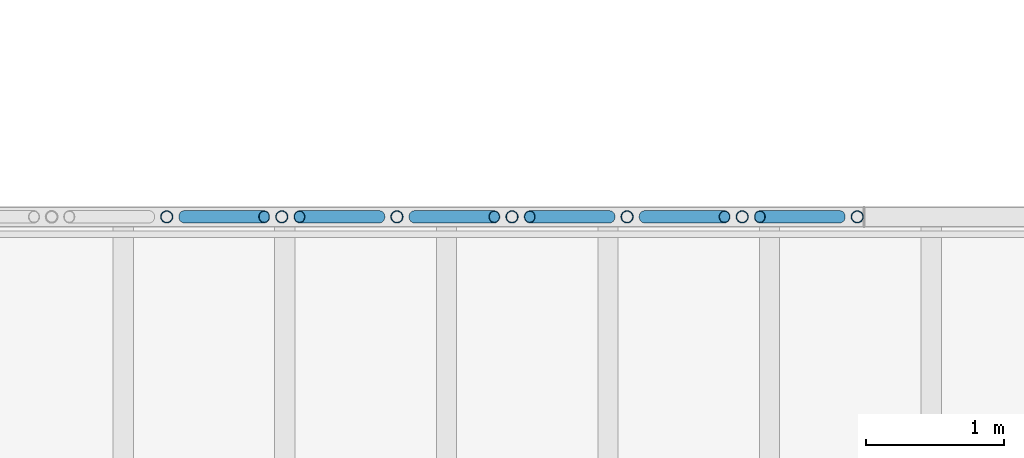
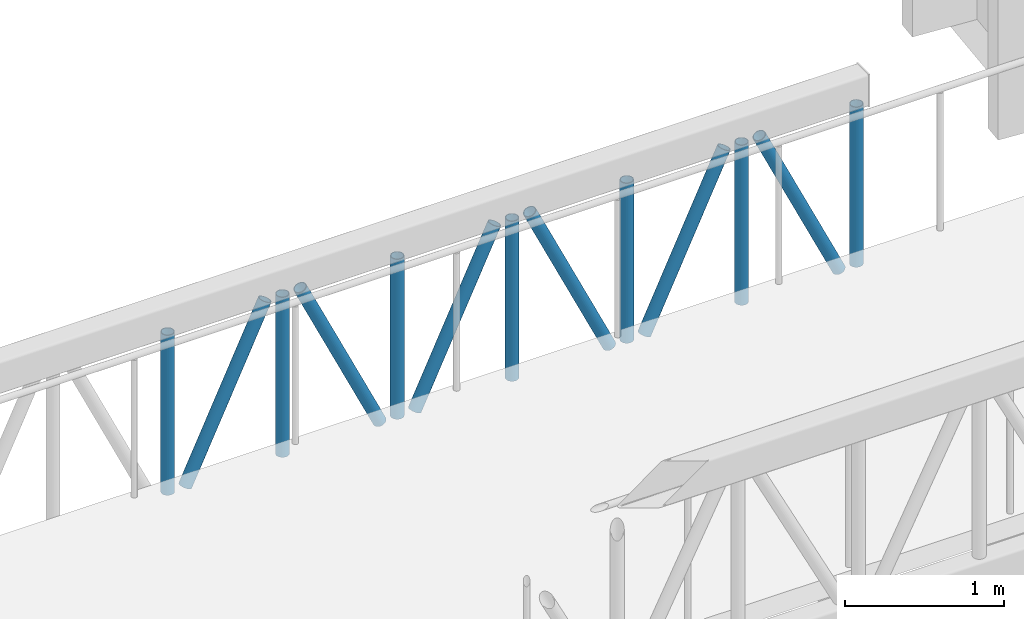
# One storey, part 30 of 93: 13 members.
"""IFC4 building model written with IfcOpenShell, lengths in metres."""

import ifcopenshell
import ifcopenshell.guid

model = None  # the IFC model being written
_history = None  # IfcOwnerHistory: only IFC2X3 demands one
_inside = {}  # id of a spatial element -> (the spatial element, [elements in it])
_under = {}  # id of a project, library or spatial element -> (it, [spatial elements below it])
_declared = {}  # id of a project -> (the project, [libraries it declares])
_typed = {}  # id of a type object -> (the type object, [elements of that type])
_made_of = {}  # id of a material, layer set ... -> (it, [elements and type objects made of it])


def new_model(schema):
    """Start an empty IFC model of exactly this schema.

    Asked for "IFC4X3", IfcOpenShell would pick the latest addendum, in which some entities
    have other attributes; the version numbers below select the first issue.
    IFC2X3 requires an IfcOwnerHistory on every rooted entity: one is made here for all.
    """
    global model, _history
    if schema == "IFC4X3":
        model = ifcopenshell.file(schema_version=(4, 3, 0, 0))
    else:
        model = ifcopenshell.file(schema=schema)
    _inside.clear()
    _under.clear()
    _declared.clear()
    _typed.clear()
    _made_of.clear()
    _history = None
    if model.schema == "IFC2X3":
        org = make("IfcOrganization", Name="unknown")
        user = make(
            "IfcPersonAndOrganization",
            ThePerson=make("IfcPerson", FamilyName="unknown"),
            TheOrganization=org,
        )
        app = make(
            "IfcApplication",
            ApplicationDeveloper=org,
            Version="unknown",
            ApplicationFullName="unknown",
            ApplicationIdentifier="unknown",
        )
        _history = make(
            "IfcOwnerHistory",
            OwningUser=user,
            OwningApplication=app,
            ChangeAction="ADDED",
            CreationDate=0,
        )
    return model


def make(cls, **values):
    """One entity of the class cls with the attributes given. An attribute that is None is left unset."""
    return model.create_entity(
        cls, **{name: value for name, value in values.items() if value is not None}
    )


def rooted(cls, **values):
    """An entity with a GlobalId (a new one), such as an element, a storey or a relation."""
    return make(cls, GlobalId=ifcopenshell.guid.new(), OwnerHistory=_history, **values)


def si_unit(unit_type, name, prefix=None):
    """IfcSIUnit, for example si_unit("LENGTHUNIT", "METRE", prefix="MILLI")."""
    return make("IfcSIUnit", UnitType=unit_type, Prefix=prefix, Name=name)


def assignment(units):
    """IfcUnitAssignment: the units of a project."""
    return None if units is None else make("IfcUnitAssignment", Units=units)


def point(xyz):
    """IfcCartesianPoint."""
    return None if xyz is None else make("IfcCartesianPoint", Coordinates=xyz)


def direction(xyz):
    """IfcDirection."""
    return None if xyz is None else make("IfcDirection", DirectionRatios=xyz)


def frame(location, z_axis=None, x_axis=None):
    """IfcAxis2Placement3D, a coordinate frame: its origin and axes. An axis left out is left unset."""
    return make(
        "IfcAxis2Placement3D",
        Location=point(location),
        Axis=direction(z_axis),
        RefDirection=direction(x_axis),
    )


def frame_2d(location, x_axis=None):
    """IfcAxis2Placement2D, a coordinate frame in the plane: its origin and x axis."""
    return make(
        "IfcAxis2Placement2D", Location=point(location), RefDirection=direction(x_axis)
    )


def origin():
    """The frame at (0, 0, 0) with its axes left unset."""
    return frame((0.0, 0.0, 0.0))


def origin_2d():
    """The frame at (0, 0) in the plane with its x axis left unset."""
    return frame_2d((0.0, 0.0))


def place(relative_to, where):
    """IfcLocalPlacement: puts the frame where relative to a parent placement (None: the world)."""
    return make(
        "IfcLocalPlacement", PlacementRelTo=relative_to, RelativePlacement=where
    )


def context(
    kind, dimensions, precision=None, world=None, true_north=None, identifier=None
):
    """IfcGeometricRepresentationContext, for example the 3D "Model" context."""
    return make(
        "IfcGeometricRepresentationContext",
        ContextIdentifier=identifier,
        ContextType=kind,
        CoordinateSpaceDimension=dimensions,
        Precision=precision,
        WorldCoordinateSystem=world,
        TrueNorth=true_north,
    )


def subcontext(parent, identifier, kind, view, scale=None):
    """IfcGeometricRepresentationSubContext, for example "Body" below "Model"."""
    return make(
        "IfcGeometricRepresentationSubContext",
        ContextIdentifier=identifier,
        ContextType=kind,
        ParentContext=parent,
        TargetScale=scale,
        TargetView=view,
    )


def project(units=None, contexts=None):
    """IfcProject with its units and contexts."""
    return rooted(
        "IfcProject",
        Name="project",
        RepresentationContexts=contexts,
        UnitsInContext=assignment(units),
    )


def spatial(cls, under=None, at=None, **own):
    """A site, building, storey or space (cls), placed at a placement, below another one or the project."""
    s = rooted(cls, ObjectPlacement=at, **own)
    if under is not None:
        _under.setdefault(under.id(), (under, []))[1].append(s)
    return s


def profile(cls, at=None, kind="AREA", **sizes):
    """A parametric profile (cls). Its sizes go by their IFC names, for example OverallWidth=200.0."""
    return make(cls, ProfileType=kind, Position=at, **sizes)


def hollow_circle(**sizes):
    """IfcCircleHollowProfileDef."""
    return profile("IfcCircleHollowProfileDef", **sizes)


def extrude(swept, where, along, depth):
    """IfcExtrudedAreaSolid: the profile swept, set in the frame where, extruded along a direction by depth."""
    return make(
        "IfcExtrudedAreaSolid",
        SweptArea=swept,
        Position=where,
        ExtrudedDirection=direction(along),
        Depth=depth,
    )


def shape(context_of_items, identifier, shape_type, items):
    """IfcShapeRepresentation: the items that make up one representation, for example the "Body"."""
    return make(
        "IfcShapeRepresentation",
        ContextOfItems=context_of_items,
        RepresentationIdentifier=identifier,
        RepresentationType=shape_type,
        Items=items,
    )


def material(Name=None, Category=None):
    """IfcMaterial."""
    return make("IfcMaterial", Name=Name, Category=Category)


def material_profile(
    of_material, cross_section, Name=None, Category=None, Priority=None
):
    """IfcMaterialProfile: a cross section and its material."""
    return make(
        "IfcMaterialProfile",
        Name=Name,
        Material=of_material,
        Profile=cross_section,
        Priority=Priority,
        Category=Category,
    )


def profile_set(profiles, Name=None, composite=None):
    """IfcMaterialProfileSet."""
    return make(
        "IfcMaterialProfileSet",
        Name=Name,
        MaterialProfiles=profiles,
        CompositeProfile=composite,
    )


def made_of(thing, what):
    """Note that an element or type object is made of a material, layer set ...; save() writes the relation."""
    if what is not None:
        _made_of.setdefault(what.id(), (what, []))[1].append(thing)
    return thing


def type_object(cls, material=None, **own):
    """A type object (cls), such as IfcWallType, which elements share."""
    return made_of(rooted(cls, **own), material)


def element(
    cls,
    number,
    at=None,
    inside=None,
    cuts=None,
    type_object=None,
    material=None,
    context=None,
    identifier="Body",
    shape_type=None,
    held_by="IfcProductDefinitionShape",
    body=None,
    shapes=None,
    **own,
):
    """One element of the class cls, such as IfcWall. Its Tag is "e" and its number.

    at: its placement. inside: the storey or other place that contains it. cuts: it is an
    opening in that element (IfcRelVoidsElement). A single representation is given by context,
    identifier, shape_type and body (its items); several are given by shapes. held_by: the class
    of the entity that holds the representations. save() writes the other relations.
    """
    e = rooted(cls, Tag="e%d" % number, ObjectPlacement=at, **own)
    if body is not None:
        shapes = [shape(context, identifier, shape_type, body)]
    if shapes is not None:
        e.Representation = make(held_by, Representations=shapes)
    if inside is not None:
        _inside.setdefault(inside.id(), (inside, []))[1].append(e)
    if cuts is not None:
        rooted(
            "IfcRelVoidsElement", RelatingBuildingElement=cuts, RelatedOpeningElement=e
        )
    if type_object is not None:
        _typed.setdefault(type_object.id(), (type_object, []))[1].append(e)
    return made_of(e, material)


def aggregate(whole, parts):
    """IfcRelAggregates: a whole, such as a stair, and the parts it consists of."""
    return rooted("IfcRelAggregates", RelatingObject=whole, RelatedObjects=parts)


def save(model, path):
    """Write the relations noted so far, then the file.

    IfcRelAggregates (storeys below a building ...), IfcRelContainedInSpatialStructure (elements
    in a storey), IfcRelDefinesByType, IfcRelAssociatesMaterial and IfcRelDeclares: one each for
    every whole, place, type object, material and project.
    """
    for whole, parts in _under.values():
        aggregate(whole, parts)
    for where, things in _inside.values():
        rooted(
            "IfcRelContainedInSpatialStructure",
            RelatedElements=things,
            RelatingStructure=where,
        )
    for kind, things in _typed.values():
        rooted("IfcRelDefinesByType", RelatedObjects=things, RelatingType=kind)
    for what, things in _made_of.values():
        rooted("IfcRelAssociatesMaterial", RelatedObjects=things, RelatingMaterial=what)
    for by, libraries in _declared.values():
        rooted("IfcRelDeclares", RelatingContext=by, RelatedDefinitions=libraries)
    model.write(path)


model = new_model("IFC4")

# Units and contexts
model_context = context("Model", 3, precision=1e-05, world=origin(), true_north=direction((0.0, 1.0)))
body_context = subcontext(model_context, "Body", "Model", "MODEL_VIEW")
ifc_project = project(units=[si_unit("LENGTHUNIT", "METRE"), si_unit("AREAUNIT", "SQUARE_METRE"), si_unit("VOLUMEUNIT", "CUBIC_METRE"), si_unit("PLANEANGLEUNIT", "RADIAN"), si_unit("MASSUNIT", "GRAM", prefix="KILO")], contexts=[model_context])

# Site, building, storey
site_placement = place(None, origin())
site = spatial("IfcSite", under=ifc_project, at=site_placement, CompositionType="ELEMENT")
building_placement = place(site_placement, origin())
building = spatial("IfcBuilding", under=site, at=building_placement, Name="Tide Square Theatres", CompositionType="ELEMENT")
storey_placement = place(building_placement, frame((0.0, 0.0, 5.39990234375)))
storey = spatial("IfcBuildingStorey", under=building, at=storey_placement, Name="L01", CompositionType="ELEMENT", Elevation=5.39990234375)

# Members
ifc_material_1 = material(Name="Steel ASTM A500 Grade C", Category="steel")
ifc_material_profile_1 = material_profile(ifc_material_1, hollow_circle(Radius=0.04443359375, WallThickness=0.0048828125, at=origin_2d()))
ifc_profile_set_1 = profile_set([ifc_material_profile_1], Name="Steel ASTM A500 Grade C")
member_type_1 = type_object("IfcMemberType", Name="Steel brace CHS 88.9 x 5.0", PredefinedType="BRACE", material=ifc_profile_set_1)
for number, where, z_axis, x_axis, name in (
    (1, (115.57177734375, 47.574951171875, -0.14990234375), (-0.42588386751, 0.0, 0.90477783538), (0.0, -1.0, 0.0), "Bridge BR-E2 diagonal"),
    (2, (114.740478515625, 47.574951171875, 1.0751953125), (-0.425736247503, 0.0, -0.904847306214), (0.0, -1.0, 0.0), "Bridge BR-E2 diagonal"),
    (3, (113.909423828125, 47.574951171875, -0.14990234375), (-0.425736247503, 0.0, 0.904847306214), (0.0, -1.0, 0.0), "Bridge BR-E2 diagonal"),
    (4, (113.078369140625, 47.574951171875, 1.0751953125), (-0.42588386751, 0.0, -0.90477783538), (0.0, -1.0, 0.0), "Bridge BR-E2 diagonal"),
    (5, (112.2470703125, 47.574951171875, -0.14990234375), (-0.425736247503, 0.0, 0.904847306214), (0.0, -1.0, 0.0), "Bridge BR-E2 diagonal"),
    (6, (111.416015625, 47.574951171875, 1.0751953125), (-0.42588386751, 0.0, -0.90477783538), (0.0, -1.0, 0.0), "Bridge BR-E2 diagonal"),
):
    element("IfcMember", number, at=place(storey_placement, frame(where, z_axis=z_axis, x_axis=x_axis)), inside=storey, type_object=member_type_1, Name=name, PredefinedType="BRACE", context=body_context, shape_type="SweptSolid", body=[
        extrude(hollow_circle(Radius=0.04443359375, WallThickness=0.0048828125, at=origin_2d()), origin(), (0.0, 0.0, 1.0), 1.35400390625),
    ])
ifc_material_2 = material(Name="Steel ASTM A500 Grade C", Category="steel")
ifc_material_profile_2 = material_profile(ifc_material_2, hollow_circle(Radius=0.04443359375, WallThickness=0.0048828125, at=origin_2d()))
ifc_profile_set_2 = profile_set([ifc_material_profile_2], Name="Steel ASTM A500 Grade C")
member_type_2 = type_object("IfcMemberType", Name="Steel strut CHS 88.9 x 5.0", PredefinedType="STRUT", material=ifc_profile_set_2)
for number, where, z_axis, x_axis, name in (
    (7, (115.698974609375, 47.574951171875, -0.14990234375), (0.0, 0.0, 1.0), (1.0, 0.0, 0.0), "Bridge BR-E2 post"),
    (8, (114.867919921875, 47.574951171875, -0.14990234375), (0.0, 0.0, 1.0), (1.0, 0.0, 0.0), "Bridge BR-E2 post"),
    (9, (114.03662109375, 47.574951171875, -0.14990234375), (0.0, 0.0, 1.0), (1.0, 0.0, 0.0), "Bridge BR-E2 post"),
    (10, (113.20556640625, 47.574951171875, -0.14990234375), (0.0, 0.0, 1.0), (1.0, 0.0, 0.0), "Bridge BR-E2 post"),
    (11, (112.37451171875, 47.574951171875, -0.14990234375), (0.0, 0.0, 1.0), (1.0, 0.0, 0.0), "Bridge BR-E2 post"),
    (12, (111.543212890625, 47.574951171875, -0.14990234375), (0.0, 0.0, 1.0), (1.0, 0.0, 0.0), "Bridge BR-E2 post"),
    (13, (110.712158203125, 47.574951171875, -0.14990234375), (0.0, 0.0, 1.0), (1.0, 0.0, 0.0), "Bridge BR-E2 post"),
):
    element("IfcMember", number, at=place(storey_placement, frame(where, z_axis=z_axis, x_axis=x_axis)), inside=storey, type_object=member_type_2, Name=name, PredefinedType="STRUT", context=body_context, shape_type="SweptSolid", body=[
        extrude(hollow_circle(Radius=0.04443359375, WallThickness=0.0048828125, at=origin_2d()), origin(), (0.0, 0.0, 1.0), 1.22509765625),
    ])

save(model, "model.ifc")
